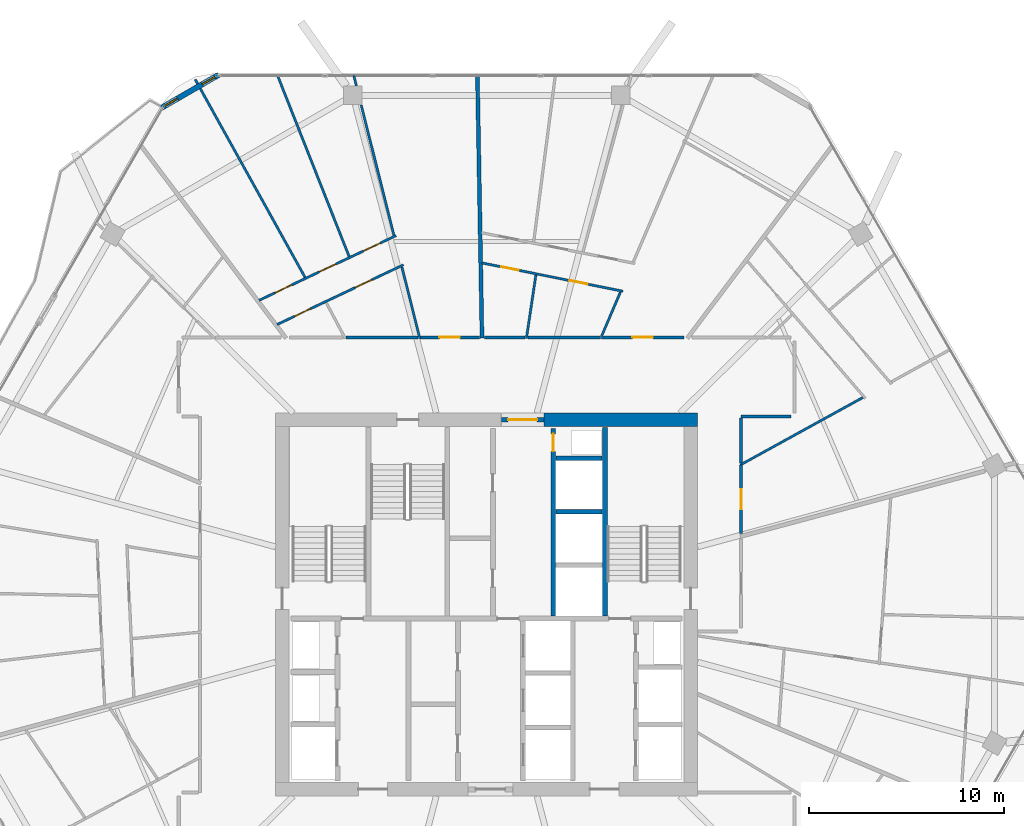
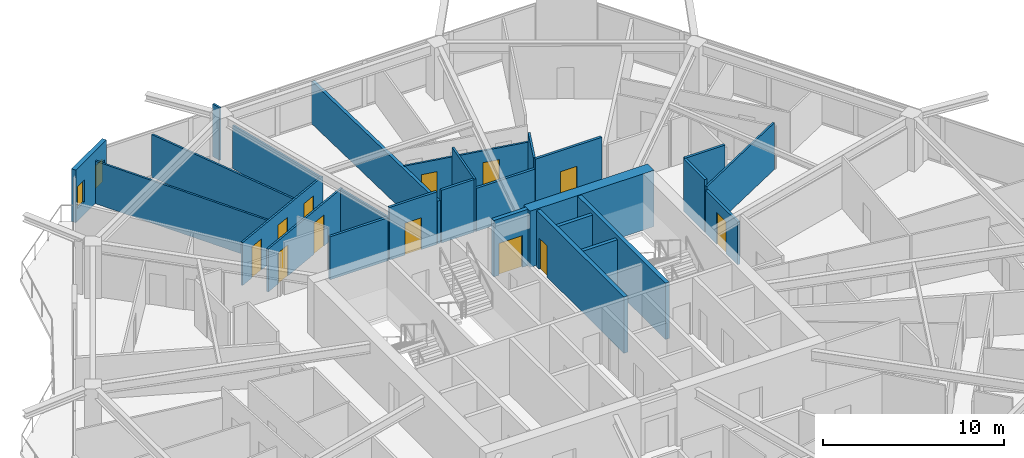
# One storey, part 22 of 27: 27 walls, 12 doors, 2 windows, 14 openings.
"""IFC4 building model written with IfcOpenShell, lengths in metres."""

from ifc_helpers import new_model, si_unit, direction, frame, frame_2d, origin, place, context, subcontext, project, spatial, rectangle, extrude, material, layer, layer_set, type_object, element, fill, save


model = new_model("IFC4")

# Units and contexts
model_context = context("Model", 3, precision=1e-05, world=origin(), true_north=direction((0.0, 1.0)))
body_context = subcontext(model_context, "Body", "Model", "MODEL_VIEW")
ifc_project = project(units=[si_unit("LENGTHUNIT", "METRE"), si_unit("AREAUNIT", "SQUARE_METRE"), si_unit("VOLUMEUNIT", "CUBIC_METRE"), si_unit("PLANEANGLEUNIT", "RADIAN"), si_unit("MASSUNIT", "GRAM", prefix="KILO")], contexts=[model_context])

# Site, building, storey
site_placement = place(None, origin())
site = spatial("IfcSite", under=ifc_project, at=site_placement, CompositionType="ELEMENT")
building_placement = place(site_placement, origin())
building = spatial("IfcBuilding", under=site, at=building_placement, Name="Zuhravey Tower", CompositionType="ELEMENT")
storey_placement = place(building_placement, frame((0.0, 0.0, 188.39990234375)))
storey = spatial("IfcBuildingStorey", under=building, at=storey_placement, Name="L47", CompositionType="ELEMENT", Elevation=188.39990234375)

# Wall
ifc_material_1 = material(Name="Concrete C60/75", Category="concrete")
ifc_layer_1 = layer(ifc_material_1, 0.699951171875)
ifc_layer_set_1 = layer_set([ifc_layer_1], Name="Concrete C60/75")
wall_type_1 = type_object("IfcWallType", Name="Core Shear Wall 700", PredefinedType="SHEAR", material=ifc_layer_set_1)
wall_1_placement = place(storey_placement, frame((46.85009765625, 41.5, 0.0), z_axis=(0.0, 0.0, 1.0), x_axis=(-1.0, 0.0, 0.0)))
element("IfcWall", 1, at=wall_1_placement, inside=storey, type_object=wall_type_1, Name="L47 North-East Core Shear Wall CW70", PredefinedType="SHEAR", context=body_context, shape_type="SweptSolid", body=[
    extrude(rectangle(XDim=7.900146484375, YDim=0.699951171875, at=frame_2d((3.9501953125, 0.0))), origin(), (0.0, 0.0, 1.0), 3.800048828125),
])

# Wall, opening, door
ifc_material_2 = material(Name="Gypsum fire-rated stud partition")
ifc_layer_2 = layer(ifc_material_2, 0.159912109375)
ifc_layer_set_2 = layer_set([ifc_layer_2], Name="Gypsum fire-rated stud partition")
wall_type_2 = type_object("IfcWallType", Name="Corridor Fire Partition 160", PredefinedType="PARTITIONING", material=ifc_layer_set_2)
wall_2_placement = place(storey_placement, frame((49.080078125, 35.648193359375, 0.0), z_axis=(0.0, 0.0, 1.0), x_axis=(0.0, 1.0, 0.0)))
wall_2 = element("IfcWall", 2, at=wall_2_placement, inside=storey, type_object=wall_type_2, Name="L47 IW16 Partition 022", PredefinedType="PARTITIONING", context=body_context, shape_type="SweptSolid", body=[
    extrude(rectangle(XDim=3.525634765625, YDim=0.159912109375, at=frame_2d((1.7626953125, 0.0))), origin(), (0.0, 0.0, 1.0), 2.900146484375),
])
opening_1_placement = place(wall_2_placement, frame((1.23779296875, 0.0, 0.0)))
opening_1 = element("IfcOpeningElement", 3, at=opening_1_placement, cuts=wall_2, Name="Opening APD1", PredefinedType="OPENING", context=body_context, shape_type="SweptSolid", body=[
    extrude(rectangle(XDim=1.050048828125, YDim=2.14990234375, at=frame_2d((0.52490234375, 1.074951171875))), frame((0.0, 0.092041015625, 0.0), z_axis=(0.0, -1.0, 0.0), x_axis=(1.0, 0.0, 0.0)), (0.0, 0.0, 1.0), 0.183837890625),
])
ifc_material_3 = material(Name="Solid-core oak fire-rated leaf")
door_type_1 = type_object("IfcDoorType", Name="Apartment Entrance Fire Door 1050x2150", OperationType="NOTDEFINED", PredefinedType="DOOR", material=ifc_material_3)
door_1_placement = place(opening_1_placement, frame((1.050048828125, 0.0, 0.0), z_axis=(0.0, 0.0, 1.0), x_axis=(-1.0, 0.0, 0.0)))
door_1 = element("IfcDoor", 4, at=door_1_placement, inside=storey, type_object=door_type_1, Name="L47 Door 022.1", OperationType="SINGLE_SWING_RIGHT", OverallHeight=2.14990234375, OverallWidth=1.050048828125, PredefinedType="DOOR", context=body_context, shape_type="SweptSolid", body=[
    extrude(rectangle(XDim=1.050048828125, YDim=2.14990234375, at=frame_2d((0.52490234375, 1.074951171875))), frame((0.0, 0.02490234375, 0.0), z_axis=(0.0, -1.0, 0.0), x_axis=(1.0, 0.0, 0.0)), (0.0, 0.0, 1.0), 0.050048828125),
])
fill(opening_1, door_1)

wall_3_placement = place(storey_placement, frame((46.134765625, 45.72998046875, 0.0), z_axis=(0.0, 0.0, 1.0), x_axis=(-1.0, 0.0, 0.0)))
wall_3 = element("IfcWall", 5, at=wall_3_placement, inside=storey, type_object=wall_type_2, Name="L47 IW16 Partition 026", PredefinedType="PARTITIONING", context=body_context, shape_type="SweptSolid", body=[
    extrude(rectangle(XDim=4.23388671875, YDim=0.159912109375, at=frame_2d((2.116943359375, 0.0))), origin(), (0.0, 0.0, 1.0), 3.550048828125),
])
opening_2_placement = place(wall_3_placement, frame((1.592041015625, 0.0, 0.0)))
opening_2 = element("IfcOpeningElement", 6, at=opening_2_placement, cuts=wall_3, Name="Opening APD1", PredefinedType="OPENING", context=body_context, shape_type="SweptSolid", body=[
    extrude(rectangle(XDim=1.050048828125, YDim=2.14990234375, at=frame_2d((0.52490234375, 1.074951171875))), frame((0.0, 0.092041015625, 0.0), z_axis=(0.0, -1.0, 0.0), x_axis=(1.0, 0.0, 0.0)), (0.0, 0.0, 1.0), 0.183837890625),
])
door_2_placement = place(opening_2_placement, frame((1.050048828125, 0.0, 0.0), z_axis=(0.0, 0.0, 1.0), x_axis=(-1.0, 0.0, 0.0)))
door_2 = element("IfcDoor", 7, at=door_2_placement, inside=storey, type_object=door_type_1, Name="L47 Door 026.1", OperationType="SINGLE_SWING_LEFT", OverallHeight=2.14990234375, OverallWidth=1.050048828125, PredefinedType="DOOR", context=body_context, shape_type="SweptSolid", body=[
    extrude(rectangle(XDim=1.050048828125, YDim=2.14990234375, at=frame_2d((0.52490234375, 1.074951171875))), frame((0.0, 0.02490234375, 0.0), z_axis=(0.0, -1.0, 0.0), x_axis=(1.0, 0.0, 0.0)), (0.0, 0.0, 1.0), 0.050048828125),
])
fill(opening_2, door_2)

wall_4_placement = place(storey_placement, frame((35.62060546875, 45.72998046875, 0.0), z_axis=(0.0, 0.0, 1.0), x_axis=(-1.0, 0.0, 0.0)))
wall_4 = element("IfcWall", 8, at=wall_4_placement, inside=storey, type_object=wall_type_2, Name="L47 IW16 Partition 029", PredefinedType="PARTITIONING", context=body_context, shape_type="SweptSolid", body=[
    extrude(rectangle(XDim=3.048583984375, YDim=0.159912109375, at=frame_2d((1.5244140625, 0.0))), origin(), (0.0, 0.0, 1.0), 3.550048828125),
])
opening_3_placement = place(wall_4_placement, frame((0.999267578125, 0.0, 0.0)))
opening_3 = element("IfcOpeningElement", 9, at=opening_3_placement, cuts=wall_4, Name="Opening APD1", PredefinedType="OPENING", context=body_context, shape_type="SweptSolid", body=[
    extrude(rectangle(XDim=1.050048828125, YDim=2.14990234375, at=frame_2d((0.52490234375, 1.074951171875))), frame((0.0, 0.092041015625, 0.0), z_axis=(0.0, -1.0, 0.0), x_axis=(1.0, 0.0, 0.0)), (0.0, 0.0, 1.0), 0.183837890625),
])
door_3_placement = place(opening_3_placement, frame((1.050048828125, 0.0, 0.0), z_axis=(0.0, 0.0, 1.0), x_axis=(-1.0, 0.0, 0.0)))
door_3 = element("IfcDoor", 10, at=door_3_placement, inside=storey, type_object=door_type_1, Name="L47 Door 029.1", OperationType="SINGLE_SWING_LEFT", OverallHeight=2.14990234375, OverallWidth=1.050048828125, PredefinedType="DOOR", context=body_context, shape_type="SweptSolid", body=[
    extrude(rectangle(XDim=1.050048828125, YDim=2.14990234375, at=frame_2d((0.52490234375, 1.074951171875))), frame((0.0, 0.02490234375, 0.0), z_axis=(0.0, -1.0, 0.0), x_axis=(1.0, 0.0, 0.0)), (0.0, 0.0, 1.0), 0.050048828125),
])
fill(opening_3, door_3)

# Walls
wall_5_placement = place(storey_placement, frame((49.080078125, 41.669921875, 0.0), z_axis=(0.0, 0.0, 1.0), x_axis=(1.0, 0.0, 0.0)))
element("IfcWall", 11, at=wall_5_placement, inside=storey, type_object=wall_type_2, Name="L47 IW16 Partition 124", PredefinedType="PARTITIONING", context=body_context, shape_type="SweptSolid", body=[
    extrude(rectangle(XDim=2.56982421875, YDim=0.159912109375, at=frame_2d((1.284912109375, 0.0))), origin(), (0.0, 0.0, 1.0), 3.550048828125),
])
wall_6_placement = place(storey_placement, frame((49.080078125, 39.2744140625, 0.0), z_axis=(0.0, 0.0, 1.0), x_axis=(0.0, 1.0, 0.0)))
element("IfcWall", 12, at=wall_6_placement, inside=storey, type_object=wall_type_2, Name="L47 IW16 Partition 125", PredefinedType="PARTITIONING", context=body_context, shape_type="SweptSolid", body=[
    extrude(rectangle(XDim=2.3076171875, YDim=0.159912109375, at=frame_2d((1.15380859375, 0.0))), origin(), (0.0, 0.0, 1.0), 3.550048828125),
])
wall_7_placement = place(storey_placement, frame((41.857421875, 45.72998046875, 0.0), z_axis=(0.0, 0.0, 1.0), x_axis=(-1.0, 0.0, 0.0)))
element("IfcWall", 13, at=wall_7_placement, inside=storey, type_object=wall_type_2, Name="L47 IW16 Partition 128", PredefinedType="PARTITIONING", context=body_context, shape_type="SweptSolid", body=[
    extrude(rectangle(XDim=3.737060546875, YDim=0.159912109375, at=frame_2d((1.86865234375, 0.0))), origin(), (0.0, 0.0, 1.0), 2.900146484375),
])
wall_8_placement = place(storey_placement, frame((37.98291015625, 45.72998046875, 0.0), z_axis=(0.0, 0.0, 1.0), x_axis=(-1.0, 0.0, 0.0)))
element("IfcWall", 14, at=wall_8_placement, inside=storey, type_object=wall_type_2, Name="L47 IW16 Partition 129", PredefinedType="PARTITIONING", context=body_context, shape_type="SweptSolid", body=[
    extrude(rectangle(XDim=2.082763671875, YDim=0.159912109375, at=frame_2d((1.04150390625, 0.0))), origin(), (0.0, 0.0, 1.0), 3.550048828125),
])
wall_9_placement = place(storey_placement, frame((32.481201171875, 45.72998046875, 0.0), z_axis=(0.0, 0.0, 1.0), x_axis=(-1.0, 0.0, 0.0)))
element("IfcWall", 15, at=wall_9_placement, inside=storey, type_object=wall_type_2, Name="L47 IW16 Partition 130", PredefinedType="PARTITIONING", context=body_context, shape_type="SweptSolid", body=[
    extrude(rectangle(XDim=3.700927734375, YDim=0.159912109375, at=frame_2d((1.8505859375, 0.0))), origin(), (0.0, 0.0, 1.0), 2.900146484375),
])

# Wall, openings, windows
ifc_material_4 = material(Name="Precast concrete C40/50", Category="concrete")
ifc_layer_3 = layer(ifc_material_4, 0.280029296875)
ifc_layer_set_3 = layer_set([ifc_layer_3], Name="Precast concrete C40/50")
wall_type_3 = type_object("IfcWallType", Name="Crown Architectural Wall 280", PredefinedType="SOLIDWALL", material=ifc_layer_set_3)
wall_10_placement = place(storey_placement, frame((19.306884765625, 57.548095703125, 0.0), z_axis=(0.0, 0.0, 1.0), x_axis=(0.866020068361, 0.500009241111, 0.0)))
wall_10 = element("IfcWall", 16, at=wall_10_placement, inside=storey, type_object=wall_type_3, Name="L47 Rounded Corner Closure Wall EW28-08", PredefinedType="SOLIDWALL", context=body_context, shape_type="SweptSolid", body=[
    extrude(rectangle(XDim=3.365234375, YDim=0.280029296875, at=frame_2d((1.6826171875, 0.0))), origin(), (0.0, 0.0, 1.0), 3.550048828125),
])
opening_4_placement = place(wall_10_placement, frame((2.386962890625, 0.0, 0.85009765625)))
opening_4 = element("IfcOpeningElement", 17, at=opening_4_placement, cuts=wall_10, Name="Opening WN5", PredefinedType="OPENING", context=body_context, shape_type="SweptSolid", body=[
    extrude(rectangle(XDim=0.75, YDim=1.5, at=frame_2d((0.375, 0.75))), frame((0.0, 0.152099609375, 0.0), z_axis=(0.0, -1.0, 0.0), x_axis=(1.0, 0.0, 0.0)), (0.0, 0.0, 1.0), 0.303955078125),
])
opening_5_placement = place(wall_10_placement, frame((0.17919921875, 0.0, 0.85009765625)))
opening_5 = element("IfcOpeningElement", 18, at=opening_5_placement, cuts=wall_10, Name="Opening WN5", PredefinedType="OPENING", context=body_context, shape_type="SweptSolid", body=[
    extrude(rectangle(XDim=0.75, YDim=1.5, at=frame_2d((0.375, 0.75))), frame((0.0, 0.152099609375, 0.0), z_axis=(0.0, -1.0, 0.0), x_axis=(1.0, 0.0, 0.0)), (0.0, 0.0, 1.0), 0.303955078125),
])
ifc_material_5 = material(Name="Thermally broken aluminium and triple low-E glass", Category="aluminium")
window_type = type_object("IfcWindowType", Name="Residential Corner Casement Window 750x1500", PartitioningType="SINGLE_PANEL", PredefinedType="WINDOW", material=ifc_material_5)
window_1_placement = place(opening_4_placement, origin())
window_1 = element("IfcWindow", 19, at=window_1_placement, inside=storey, type_object=window_type, Name="L47 Corner Casement Window WN5-08.1", OverallHeight=1.5, OverallWidth=0.75, PartitioningType="SINGLE_PANEL", PredefinedType="WINDOW", context=body_context, shape_type="SweptSolid", body=[
    extrude(rectangle(XDim=0.75, YDim=1.5, at=frame_2d((0.375, 0.75))), frame((0.0, 0.030029296875, 0.0), z_axis=(0.0, -1.0, 0.0), x_axis=(1.0, 0.0, 0.0)), (0.0, 0.0, 1.0), 0.06005859375),
])
fill(opening_4, window_1)
window_2_placement = place(opening_5_placement, origin())
window_2 = element("IfcWindow", 20, at=window_2_placement, inside=storey, type_object=window_type, Name="L47 Corner Casement Window WN5-08.2", OverallHeight=1.5, OverallWidth=0.75, PartitioningType="SINGLE_PANEL", PredefinedType="WINDOW", context=body_context, shape_type="SweptSolid", body=[
    extrude(rectangle(XDim=0.75, YDim=1.5, at=frame_2d((0.375, 0.75))), frame((0.0, 0.030029296875, 0.0), z_axis=(0.0, -1.0, 0.0), x_axis=(1.0, 0.0, 0.0)), (0.0, 0.0, 1.0), 0.06005859375),
])
fill(opening_5, window_2)

# Wall, opening, door
ifc_material_6 = material(Name="Concrete C50/60", Category="concrete")
ifc_layer_4 = layer(ifc_material_6, 0.25)
ifc_layer_set_4 = layer_set([ifc_layer_4], Name="Concrete C50/60")
wall_type_4 = type_object("IfcWallType", Name="Firefighting Shaft & Stair Wall 250", PredefinedType="SOLIDWALL", material=ifc_layer_set_4)
wall_11_placement = place(storey_placement, frame((36.760009765625, 41.5, 0.0), z_axis=(0.0, 0.0, 1.0), x_axis=(1.0, 0.0, 0.0)))
wall_11 = element("IfcWall", 21, at=wall_11_placement, inside=storey, type_object=wall_type_4, Name="L47 FW25 Shaft Wall 002", PredefinedType="SOLIDWALL", context=body_context, shape_type="SweptSolid", body=[
    extrude(rectangle(XDim=2.179931640625, YDim=0.25, at=frame_2d((1.08984375, 0.0))), origin(), (0.0, 0.0, 1.0), 3.800048828125),
])
opening_6_placement = place(wall_11_placement, frame((0.340087890625, 0.0, 0.0)))
opening_6 = element("IfcOpeningElement", 22, at=opening_6_placement, cuts=wall_11, Name="Opening FFD1", PredefinedType="OPENING", context=body_context, shape_type="SweptSolid", body=[
    extrude(rectangle(XDim=1.5, YDim=2.14990234375, at=frame_2d((0.75, 1.074951171875))), frame((0.0, 0.136962890625, 0.0), z_axis=(0.0, -1.0, 0.0), x_axis=(1.0, 0.0, 0.0)), (0.0, 0.0, 1.0), 0.27392578125),
])
ifc_material_7 = material(Name="Galvanised fire-rated steel leaf", Category="steel")
door_type_2 = type_object("IfcDoorType", Name="Firefighting Lobby Double Door 1500x2150", OperationType="DOUBLE_DOOR_SINGLE_SWING", PredefinedType="DOOR", material=ifc_material_7)
door_4_placement = place(opening_6_placement, origin())
door_4 = element("IfcDoor", 23, at=door_4_placement, inside=storey, type_object=door_type_2, Name="L47 North Lift Lobby Exit Door", OperationType="DOUBLE_DOOR_SINGLE_SWING", OverallHeight=2.14990234375, OverallWidth=1.5, PredefinedType="DOOR", context=body_context, shape_type="SweptSolid", body=[
    extrude(rectangle(XDim=1.5, YDim=2.14990234375, at=frame_2d((0.75, 1.074951171875))), frame((0.0, 0.02490234375, 0.0), z_axis=(0.0, -1.0, 0.0), x_axis=(1.0, 0.0, 0.0)), (0.0, 0.0, 1.0), 0.050048828125),
])
fill(opening_6, door_4)

# Wall
wall_12_placement = place(storey_placement, frame((42.074951171875, 31.39990234375, 0.0), z_axis=(0.0, 0.0, 1.0), x_axis=(0.0, 1.0, 0.0)))
element("IfcWall", 24, at=wall_12_placement, inside=storey, type_object=wall_type_4, Name="L47 FW25 Shaft Wall 006", PredefinedType="SOLIDWALL", context=body_context, shape_type="SweptSolid", body=[
    extrude(rectangle(XDim=9.7001953125, YDim=0.25, at=frame_2d((4.85009765625, 0.0))), origin(), (0.0, 0.0, 1.0), 3.800048828125),
])

# Wall, opening, door
wall_13_placement = place(storey_placement, frame((39.425048828125, 31.39990234375, 0.0), z_axis=(0.0, 0.0, 1.0), x_axis=(0.0, 1.0, 0.0)))
wall_13 = element("IfcWall", 25, at=wall_13_placement, inside=storey, type_object=wall_type_4, Name="L47 FW25 Shaft Wall 008", PredefinedType="SOLIDWALL", context=body_context, shape_type="SweptSolid", body=[
    extrude(rectangle(XDim=9.650146484375, YDim=0.25, at=frame_2d((4.8251953125, 0.0))), origin(), (0.0, 0.0, 1.0), 3.800048828125),
])
opening_7_placement = place(wall_13_placement, frame((8.469970703125, 0.0, 0.0)))
opening_7 = element("IfcOpeningElement", 26, at=opening_7_placement, cuts=wall_13, Name="Opening RSD1", PredefinedType="OPENING", context=body_context, shape_type="SweptSolid", body=[
    extrude(rectangle(XDim=0.89990234375, YDim=2.10009765625, at=frame_2d((0.449951171875, 1.050048828125))), frame((0.0, 0.136962890625, 0.0), z_axis=(0.0, -1.0, 0.0), x_axis=(1.0, 0.0, 0.0)), (0.0, 0.0, 1.0), 0.27392578125),
])
ifc_material_8 = material(Name="Galvanised fire-rated steel access leaf", Category="steel")
door_type_3 = type_object("IfcDoorType", Name="Riser & Shaft Access Fire Door 900x2100", OperationType="NOTDEFINED", PredefinedType="DOOR", material=ifc_material_8)
door_5_placement = place(opening_7_placement, origin())
door_5 = element("IfcDoor", 27, at=door_5_placement, inside=storey, type_object=door_type_3, Name="L47 North Riser Door", OperationType="SINGLE_SWING_RIGHT", OverallHeight=2.10009765625, OverallWidth=0.89990234375, PredefinedType="DOOR", context=body_context, shape_type="SweptSolid", body=[
    extrude(rectangle(XDim=0.89990234375, YDim=2.10009765625, at=frame_2d((0.449951171875, 1.050048828125))), frame((0.0, 0.02490234375, 0.0), z_axis=(0.0, -1.0, 0.0), x_axis=(1.0, 0.0, 0.0)), (0.0, 0.0, 1.0), 0.050048828125),
])
fill(opening_7, door_5)

# Walls
ifc_material_9 = material(Name="Gypsum double-stud party assembly")
ifc_layer_5 = layer(ifc_material_9, 0.199951171875)
ifc_layer_set_5 = layer_set([ifc_layer_5], Name="Gypsum double-stud party assembly")
wall_type_5 = type_object("IfcWallType", Name="Inter-Tenancy Party Wall 200", PredefinedType="PARTITIONING", material=ifc_layer_set_5)
wall_14_placement = place(storey_placement, frame((35.760986328125, 45.68994140625, 0.0), z_axis=(0.0, 0.0, 1.0), x_axis=(-0.017457713983, 0.999847602499, 0.0)))
element("IfcWall", 28, at=wall_14_placement, inside=storey, type_object=wall_type_5, Name="L47 IW20 Partition 081", PredefinedType="PARTITIONING", context=body_context, shape_type="SweptSolid", body=[
    extrude(rectangle(XDim=13.4951171875, YDim=0.199951171875, at=frame_2d((6.74755859375, 0.0))), origin(), (0.0, 0.0, 1.0), 2.8701171875),
])
ifc_material_10 = material(Name="Gypsum acoustic stud assembly")
ifc_layer_6 = layer(ifc_material_10, 0.219970703125)
ifc_layer_set_6 = layer_set([ifc_layer_6], Name="Gypsum acoustic stud assembly")
wall_type_6 = type_object("IfcWallType", Name="School Acoustic Compartment Wall 220", PredefinedType="PARTITIONING", material=ifc_layer_set_6)
for number, where, z_axis, x_axis, name in (
    (29, (39.55810546875, 36.77490234375, 0.0), (0.0, 0.0, 1.0), (1.0, 0.0, 0.0), "L47 IW22 Partition 063"),
    (30, (39.55810546875, 39.52490234375, 0.0), (0.0, 0.0, 1.0), (1.0, 0.0, 0.0), "L47 IW22 Partition 064"),
):
    element("IfcWall", number, at=place(storey_placement, frame(where, z_axis=z_axis, x_axis=x_axis)), inside=storey, type_object=wall_type_6, Name=name, PredefinedType="PARTITIONING", context=body_context, shape_type="SweptSolid", body=[
        extrude(rectangle(XDim=2.3837890625, YDim=0.219970703125, at=frame_2d((1.19189453125, 0.0))), origin(), (0.0, 0.0, 1.0), 3.550048828125),
    ])

# Wall, openings, doors
ifc_material_11 = material(Name="Gypsum metal-stud partition")
ifc_layer_7 = layer(ifc_material_11, 0.1201171875)
ifc_layer_set_7 = layer_set([ifc_layer_7], Name="Gypsum metal-stud partition")
wall_type_7 = type_object("IfcWallType", Name="Unit Internal Partition 120", PredefinedType="PARTITIONING", material=ifc_layer_set_7)
wall_15_placement = place(storey_placement, frame((43.005126953125, 48.105712890625, 0.0), z_axis=(0.0, 0.0, 1.0), x_axis=(-0.980473986125, 0.196648830489, 0.0)))
wall_15 = element("IfcWall", 31, at=wall_15_placement, inside=storey, type_object=wall_type_7, Name="L47 IW12 Partition 024", PredefinedType="PARTITIONING", context=body_context, shape_type="SweptSolid", body=[
    extrude(rectangle(XDim=7.403076171875, YDim=0.1201171875, at=frame_2d((3.70166015625, 0.0))), origin(), (0.0, 0.0, 1.0), 2.900146484375),
])
opening_8_placement = place(wall_15_placement, frame((1.852783203125, 0.0, 0.0)))
opening_8 = element("IfcOpeningElement", 32, at=opening_8_placement, cuts=wall_15, Name="Opening IND1", PredefinedType="OPENING", context=body_context, shape_type="SweptSolid", body=[
    extrude(rectangle(XDim=0.949951171875, YDim=2.10009765625, at=frame_2d((0.47509765625, 1.050048828125))), frame((0.0, 0.072021484375, 0.0), z_axis=(0.0, -1.0, 0.0), x_axis=(1.0, 0.0, 0.0)), (0.0, 0.0, 1.0), 0.14404296875),
])
opening_9_placement = place(wall_15_placement, frame((5.47705078125, 0.0, 0.0)))
opening_9 = element("IfcOpeningElement", 33, at=opening_9_placement, cuts=wall_15, Name="Opening WCD1", PredefinedType="OPENING", context=body_context, shape_type="SweptSolid", body=[
    extrude(rectangle(XDim=0.89990234375, YDim=2.10009765625, at=frame_2d((0.449951171875, 1.050048828125))), frame((0.0, 0.072021484375, 0.0), z_axis=(0.0, -1.0, 0.0), x_axis=(1.0, 0.0, 0.0)), (0.0, 0.0, 1.0), 0.14404296875),
])
ifc_material_12 = material(Name="Moisture-resistant timber leaf", Category="wood")
door_type_4 = type_object("IfcDoorType", Name="Bathroom & WC Internal Door 900x2100", OperationType="NOTDEFINED", PredefinedType="DOOR", material=ifc_material_12)
door_6_placement = place(opening_9_placement, origin())
door_6 = element("IfcDoor", 34, at=door_6_placement, inside=storey, type_object=door_type_4, Name="Apartment L47-02 Bathroom Door", OperationType="SINGLE_SWING_LEFT", OverallHeight=2.10009765625, OverallWidth=0.89990234375, PredefinedType="DOOR", context=body_context, shape_type="SweptSolid", body=[
    extrude(rectangle(XDim=0.89990234375, YDim=2.10009765625, at=frame_2d((0.449951171875, 1.050048828125))), frame((0.0, 0.02490234375, 0.0), z_axis=(0.0, -1.0, 0.0), x_axis=(1.0, 0.0, 0.0)), (0.0, 0.0, 1.0), 0.050048828125),
])
fill(opening_9, door_6)
ifc_material_13 = material(Name="Painted engineered timber leaf", Category="wood")
door_type_5 = type_object("IfcDoorType", Name="Internal Room & Bedroom Door 950x2100", OperationType="NOTDEFINED", PredefinedType="DOOR", material=ifc_material_13)
door_7_placement = place(opening_8_placement, origin())
door_7 = element("IfcDoor", 35, at=door_7_placement, inside=storey, type_object=door_type_5, Name="Apartment L47-02 Kitchen Door", OperationType="SINGLE_SWING_RIGHT", OverallHeight=2.10009765625, OverallWidth=0.949951171875, PredefinedType="DOOR", context=body_context, shape_type="SweptSolid", body=[
    extrude(rectangle(XDim=0.949951171875, YDim=2.10009765625, at=frame_2d((0.47509765625, 1.050048828125))), frame((0.0, 0.02490234375, 0.0), z_axis=(0.0, -1.0, 0.0), x_axis=(1.0, 0.0, 0.0)), (0.0, 0.0, 1.0), 0.050048828125),
])
fill(opening_8, door_7)

wall_16_placement = place(storey_placement, frame((31.71728515625, 49.461181640625, 0.0), z_axis=(0.0, 0.0, 1.0), x_axis=(-0.904083014939, -0.427356879081, 0.0)))
wall_16 = element("IfcWall", 36, at=wall_16_placement, inside=storey, type_object=wall_type_7, Name="L47 IW12 Partition 027", PredefinedType="PARTITIONING", context=body_context, shape_type="SweptSolid", body=[
    extrude(rectangle(XDim=7.180419921875, YDim=0.1201171875, at=frame_2d((3.59033203125, 0.0))), origin(), (0.0, 0.0, 1.0), 2.900146484375),
])
opening_10_placement = place(wall_16_placement, frame((1.78466796875, 0.0, 0.0)))
opening_10 = element("IfcOpeningElement", 37, at=opening_10_placement, cuts=wall_16, Name="Opening IND1", PredefinedType="OPENING", context=body_context, shape_type="SweptSolid", body=[
    extrude(rectangle(XDim=0.949951171875, YDim=2.10009765625, at=frame_2d((0.47509765625, 1.050048828125))), frame((0.0, 0.072021484375, 0.0), z_axis=(0.0, -1.0, 0.0), x_axis=(1.0, 0.0, 0.0)), (0.0, 0.0, 1.0), 0.14404296875),
])
opening_11_placement = place(wall_16_placement, frame((5.2978515625, 0.0, 0.0)))
opening_11 = element("IfcOpeningElement", 38, at=opening_11_placement, cuts=wall_16, Name="Opening WCD1", PredefinedType="OPENING", context=body_context, shape_type="SweptSolid", body=[
    extrude(rectangle(XDim=0.89990234375, YDim=2.10009765625, at=frame_2d((0.449951171875, 1.050048828125))), frame((0.0, 0.072021484375, 0.0), z_axis=(0.0, -1.0, 0.0), x_axis=(1.0, 0.0, 0.0)), (0.0, 0.0, 1.0), 0.14404296875),
])
door_8_placement = place(opening_11_placement, origin())
door_8 = element("IfcDoor", 39, at=door_8_placement, inside=storey, type_object=door_type_4, Name="Apartment L47-03 Bathroom Door", OperationType="SINGLE_SWING_LEFT", OverallHeight=2.10009765625, OverallWidth=0.89990234375, PredefinedType="DOOR", context=body_context, shape_type="SweptSolid", body=[
    extrude(rectangle(XDim=0.89990234375, YDim=2.10009765625, at=frame_2d((0.449951171875, 1.050048828125))), frame((0.0, 0.02490234375, 0.0), z_axis=(0.0, -1.0, 0.0), x_axis=(1.0, 0.0, 0.0)), (0.0, 0.0, 1.0), 0.050048828125),
])
fill(opening_11, door_8)
door_9_placement = place(opening_10_placement, origin())
door_9 = element("IfcDoor", 40, at=door_9_placement, inside=storey, type_object=door_type_5, Name="Apartment L47-03 Kitchen Door", OperationType="SINGLE_SWING_RIGHT", OverallHeight=2.10009765625, OverallWidth=0.949951171875, PredefinedType="DOOR", context=body_context, shape_type="SweptSolid", body=[
    extrude(rectangle(XDim=0.949951171875, YDim=2.10009765625, at=frame_2d((0.47509765625, 1.050048828125))), frame((0.0, 0.02490234375, 0.0), z_axis=(0.0, -1.0, 0.0), x_axis=(1.0, 0.0, 0.0)), (0.0, 0.0, 1.0), 0.050048828125),
])
fill(opening_10, door_9)

wall_17_placement = place(storey_placement, frame((31.339599609375, 50.964111328125, 0.0), z_axis=(0.0, 0.0, 1.0), x_axis=(-0.904072927677, -0.427378218258, 0.0)))
wall_17 = element("IfcWall", 41, at=wall_17_placement, inside=storey, type_object=wall_type_7, Name="L47 IW12 Partition 028", PredefinedType="PARTITIONING", context=body_context, shape_type="SweptSolid", body=[
    extrude(rectangle(XDim=7.7822265625, YDim=0.1201171875, at=frame_2d((3.89111328125, 0.0))), origin(), (0.0, 0.0, 1.0), 2.900146484375),
])
opening_12_placement = place(wall_17_placement, frame((0.896240234375, 0.0, 0.0)))
opening_12 = element("IfcOpeningElement", 42, at=opening_12_placement, cuts=wall_17, Name="Opening IND1", PredefinedType="OPENING", context=body_context, shape_type="SweptSolid", body=[
    extrude(rectangle(XDim=0.949951171875, YDim=2.10009765625, at=frame_2d((0.47509765625, 1.050048828125))), frame((0.0, 0.072021484375, 0.0), z_axis=(0.0, -1.0, 0.0), x_axis=(1.0, 0.0, 0.0)), (0.0, 0.0, 1.0), 0.14404296875),
])
opening_13_placement = place(wall_17_placement, frame((3.416015625, 0.0, 0.0)))
opening_13 = element("IfcOpeningElement", 43, at=opening_13_placement, cuts=wall_17, Name="Opening IND1", PredefinedType="OPENING", context=body_context, shape_type="SweptSolid", body=[
    extrude(rectangle(XDim=0.949951171875, YDim=2.10009765625, at=frame_2d((0.47509765625, 1.050048828125))), frame((0.0, 0.072021484375, 0.0), z_axis=(0.0, -1.0, 0.0), x_axis=(1.0, 0.0, 0.0)), (0.0, 0.0, 1.0), 0.14404296875),
])
opening_14_placement = place(wall_17_placement, frame((5.93603515625, 0.0, 0.0)))
opening_14 = element("IfcOpeningElement", 44, at=opening_14_placement, cuts=wall_17, Name="Opening IND1", PredefinedType="OPENING", context=body_context, shape_type="SweptSolid", body=[
    extrude(rectangle(XDim=0.949951171875, YDim=2.10009765625, at=frame_2d((0.47509765625, 1.050048828125))), frame((0.0, 0.072021484375, 0.0), z_axis=(0.0, -1.0, 0.0), x_axis=(1.0, 0.0, 0.0)), (0.0, 0.0, 1.0), 0.14404296875),
])
door_10_placement = place(opening_12_placement, frame((0.949951171875, 0.0, 0.0), z_axis=(0.0, 0.0, 1.0), x_axis=(-1.0, 0.0, 0.0)))
door_10 = element("IfcDoor", 45, at=door_10_placement, inside=storey, type_object=door_type_5, Name="Apartment L47-03 Bedroom 1 Door", OperationType="SINGLE_SWING_RIGHT", OverallHeight=2.10009765625, OverallWidth=0.949951171875, PredefinedType="DOOR", context=body_context, shape_type="SweptSolid", body=[
    extrude(rectangle(XDim=0.949951171875, YDim=2.10009765625, at=frame_2d((0.47509765625, 1.050048828125))), frame((0.0, 0.02490234375, 0.0), z_axis=(0.0, -1.0, 0.0), x_axis=(1.0, 0.0, 0.0)), (0.0, 0.0, 1.0), 0.050048828125),
])
fill(opening_12, door_10)
door_11_placement = place(opening_13_placement, frame((0.949951171875, 0.0, 0.0), z_axis=(0.0, 0.0, 1.0), x_axis=(-1.0, 0.0, 0.0)))
door_11 = element("IfcDoor", 46, at=door_11_placement, inside=storey, type_object=door_type_5, Name="Apartment L47-03 Bedroom 2 Door", OperationType="SINGLE_SWING_LEFT", OverallHeight=2.10009765625, OverallWidth=0.949951171875, PredefinedType="DOOR", context=body_context, shape_type="SweptSolid", body=[
    extrude(rectangle(XDim=0.949951171875, YDim=2.10009765625, at=frame_2d((0.47509765625, 1.050048828125))), frame((0.0, 0.02490234375, 0.0), z_axis=(0.0, -1.0, 0.0), x_axis=(1.0, 0.0, 0.0)), (0.0, 0.0, 1.0), 0.050048828125),
])
fill(opening_13, door_11)
door_12_placement = place(opening_14_placement, frame((0.949951171875, 0.0, 0.0), z_axis=(0.0, 0.0, 1.0), x_axis=(-1.0, 0.0, 0.0)))
door_12 = element("IfcDoor", 47, at=door_12_placement, inside=storey, type_object=door_type_5, Name="Apartment L47-03 Bedroom 3 Door", OperationType="SINGLE_SWING_RIGHT", OverallHeight=2.10009765625, OverallWidth=0.949951171875, PredefinedType="DOOR", context=body_context, shape_type="SweptSolid", body=[
    extrude(rectangle(XDim=0.949951171875, YDim=2.10009765625, at=frame_2d((0.47509765625, 1.050048828125))), frame((0.0, 0.02490234375, 0.0), z_axis=(0.0, -1.0, 0.0), x_axis=(1.0, 0.0, 0.0)), (0.0, 0.0, 1.0), 0.050048828125),
])
fill(opening_14, door_12)

# Walls
wall_18_placement = place(storey_placement, frame((49.038330078125, 39.173828125, 0.0), z_axis=(0.0, 0.0, 1.0), x_axis=(0.876137059661, 0.482062083853, 0.0)))
element("IfcWall", 48, at=wall_18_placement, inside=storey, type_object=wall_type_7, Name="L47 IW12 Partition 071", PredefinedType="PARTITIONING", context=body_context, shape_type="SweptSolid", body=[
    extrude(rectangle(XDim=7.192138671875, YDim=0.1201171875, at=frame_2d((3.59619140625, 0.0))), origin(), (0.0, 0.0, 1.0), 3.150146484375),
])
wall_19_placement = place(storey_placement, frame((38.044189453125, 45.679931640625, 0.0), z_axis=(0.0, 0.0, 1.0), x_axis=(0.147745321874, 0.989025439443, 0.0)))
element("IfcWall", 49, at=wall_19_placement, inside=storey, type_object=wall_type_7, Name="L47 IW12 Partition 074", PredefinedType="PARTITIONING", context=body_context, shape_type="SweptSolid", body=[
    extrude(rectangle(XDim=3.2900390625, YDim=0.1201171875, at=frame_2d((1.64501953125, 0.0))), origin(), (0.0, 0.0, 1.0), 3.550048828125),
])
wall_20_placement = place(storey_placement, frame((41.916748046875, 45.818115234375, 0.0), z_axis=(0.0, 0.0, 1.0), x_axis=(0.393581271116, 0.919289825369, 0.0)))
element("IfcWall", 50, at=wall_20_placement, inside=storey, type_object=wall_type_7, Name="L47 IW12 Partition 078", PredefinedType="PARTITIONING", context=body_context, shape_type="SweptSolid", body=[
    extrude(rectangle(XDim=2.44091796875, YDim=0.1201171875, at=frame_2d((1.220458984375, 0.0))), origin(), (0.0, 0.0, 1.0), 3.550048828125),
])
wall_21_placement = place(storey_placement, frame((28.92578125, 49.898193359375, 0.0), z_axis=(0.0, 0.0, 1.0), x_axis=(-0.367601408751, 0.929983443016, 0.0)))
element("IfcWall", 51, at=wall_21_placement, inside=storey, type_object=wall_type_7, Name="L47 IW12 Partition 083", PredefinedType="PARTITIONING", context=body_context, shape_type="SweptSolid", body=[
    extrude(rectangle(XDim=9.99462890625, YDim=0.1201171875, at=frame_2d((4.997314453125, 0.0))), origin(), (0.0, 0.0, 1.0), 2.8701171875),
])
wall_22_placement = place(storey_placement, frame((26.659912109375, 48.8271484375, 0.0), z_axis=(0.0, 0.0, 1.0), x_axis=(-0.485325552843, 0.874333522037, 0.0)))
element("IfcWall", 52, at=wall_22_placement, inside=storey, type_object=wall_type_7, Name="L47 IW12 Partition 084", PredefinedType="PARTITIONING", context=body_context, shape_type="SweptSolid", body=[
    extrude(rectangle(XDim=11.626953125, YDim=0.1201171875, at=frame_2d((5.8134765625, 0.0))), origin(), (0.0, 0.0, 1.0), 2.8701171875),
])
wall_23_placement = place(storey_placement, frame((32.563720703125, 45.680908203125, 0.0), z_axis=(0.0, 0.0, 1.0), x_axis=(-0.24365901467, 0.969860961463, 0.0)))
element("IfcWall", 53, at=wall_23_placement, inside=storey, type_object=wall_type_7, Name="L47 IW12 Partition 085", PredefinedType="PARTITIONING", context=body_context, shape_type="SweptSolid", body=[
    extrude(rectangle(XDim=3.783447265625, YDim=0.1201171875, at=frame_2d((1.8916015625, 0.0))), origin(), (0.0, 0.0, 1.0), 2.900146484375),
])
wall_24_placement = place(storey_placement, frame((31.230712890625, 50.98779296875, 0.0), z_axis=(0.0, 0.0, 1.0), x_axis=(-0.243643048938, 0.969864972408, 0.0)))
element("IfcWall", 54, at=wall_24_placement, inside=storey, type_object=wall_type_7, Name="L47 IW12 Partition 086", PredefinedType="PARTITIONING", context=body_context, shape_type="SweptSolid", body=[
    extrude(rectangle(XDim=6.89794921875, YDim=0.1201171875, at=frame_2d((3.448974609375, 0.0))), origin(), (0.0, 0.0, 1.0), 2.900146484375),
])
wall_25_placement = place(storey_placement, frame((29.301513671875, 58.668212890625, 0.0), z_axis=(0.0, 0.0, 1.0), x_axis=(-0.243596904294, 0.969876563393, 0.0)))
element("IfcWall", 55, at=wall_25_placement, inside=storey, type_object=wall_type_7, Name="L47 IW12 Partition 087", PredefinedType="PARTITIONING", context=body_context, shape_type="SweptSolid", body=[
    extrude(rectangle(XDim=0.541259765625, YDim=0.1201171875, at=frame_2d((0.2705078125, 0.0))), origin(), (0.0, 0.0, 1.0), 3.550048828125),
])

save(model, "model.ifc")
